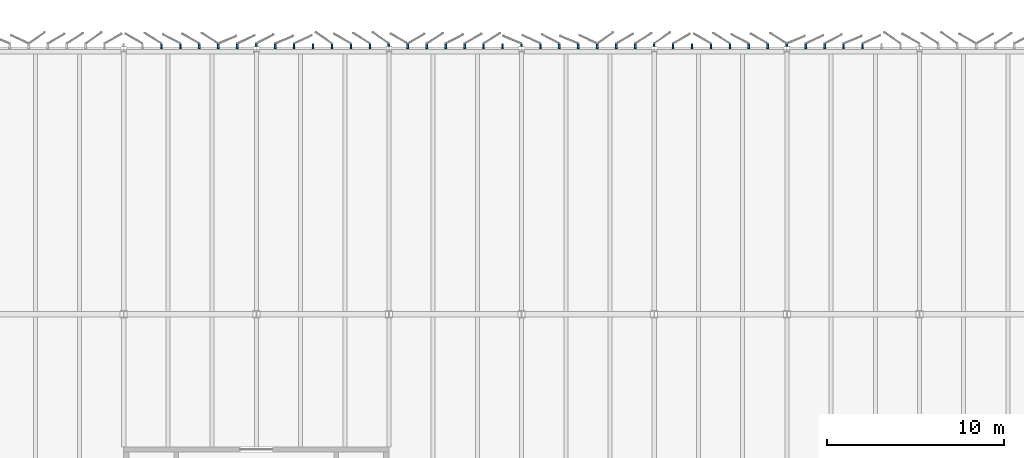
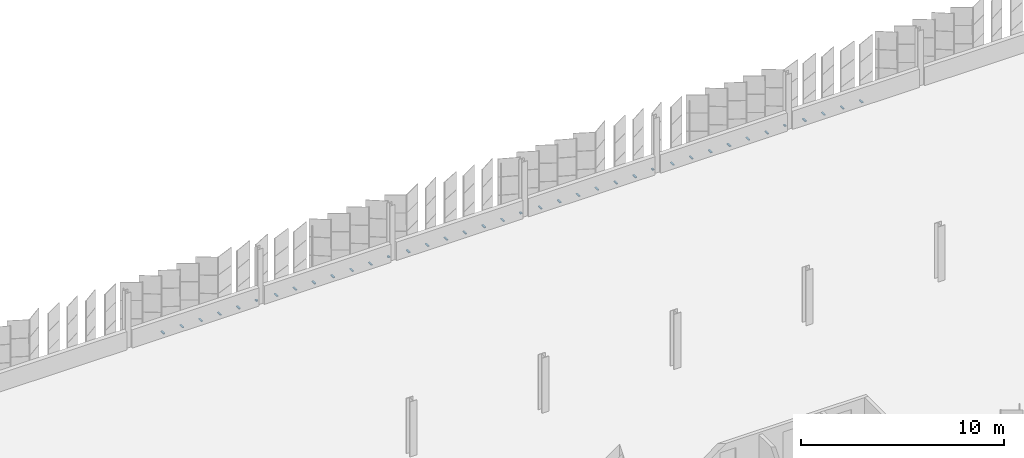
# One storey, part 190 of 214: 38 discrete accessories.
"""IFC4 building model written with IfcOpenShell, lengths in metres."""

import ifcopenshell
import ifcopenshell.guid

model = None  # the IFC model being written
_history = None  # IfcOwnerHistory: only IFC2X3 demands one
_inside = {}  # id of a spatial element -> (the spatial element, [elements in it])
_under = {}  # id of a project, library or spatial element -> (it, [spatial elements below it])
_declared = {}  # id of a project -> (the project, [libraries it declares])
_typed = {}  # id of a type object -> (the type object, [elements of that type])
_made_of = {}  # id of a material, layer set ... -> (it, [elements and type objects made of it])


def new_model(schema):
    """Start an empty IFC model of exactly this schema.

    Asked for "IFC4X3", IfcOpenShell would pick the latest addendum, in which some entities
    have other attributes; the version numbers below select the first issue.
    IFC2X3 requires an IfcOwnerHistory on every rooted entity: one is made here for all.
    """
    global model, _history
    if schema == "IFC4X3":
        model = ifcopenshell.file(schema_version=(4, 3, 0, 0))
    else:
        model = ifcopenshell.file(schema=schema)
    _inside.clear()
    _under.clear()
    _declared.clear()
    _typed.clear()
    _made_of.clear()
    _history = None
    if model.schema == "IFC2X3":
        org = make("IfcOrganization", Name="unknown")
        user = make(
            "IfcPersonAndOrganization",
            ThePerson=make("IfcPerson", FamilyName="unknown"),
            TheOrganization=org,
        )
        app = make(
            "IfcApplication",
            ApplicationDeveloper=org,
            Version="unknown",
            ApplicationFullName="unknown",
            ApplicationIdentifier="unknown",
        )
        _history = make(
            "IfcOwnerHistory",
            OwningUser=user,
            OwningApplication=app,
            ChangeAction="ADDED",
            CreationDate=0,
        )
    return model


def make(cls, **values):
    """One entity of the class cls with the attributes given. An attribute that is None is left unset."""
    return model.create_entity(
        cls, **{name: value for name, value in values.items() if value is not None}
    )


def rooted(cls, **values):
    """An entity with a GlobalId (a new one), such as an element, a storey or a relation."""
    return make(cls, GlobalId=ifcopenshell.guid.new(), OwnerHistory=_history, **values)


def si_unit(unit_type, name, prefix=None):
    """IfcSIUnit, for example si_unit("LENGTHUNIT", "METRE", prefix="MILLI")."""
    return make("IfcSIUnit", UnitType=unit_type, Prefix=prefix, Name=name)


def assignment(units):
    """IfcUnitAssignment: the units of a project."""
    return None if units is None else make("IfcUnitAssignment", Units=units)


def point(xyz):
    """IfcCartesianPoint."""
    return None if xyz is None else make("IfcCartesianPoint", Coordinates=xyz)


def direction(xyz):
    """IfcDirection."""
    return None if xyz is None else make("IfcDirection", DirectionRatios=xyz)


def frame(location, z_axis=None, x_axis=None):
    """IfcAxis2Placement3D, a coordinate frame: its origin and axes. An axis left out is left unset."""
    return make(
        "IfcAxis2Placement3D",
        Location=point(location),
        Axis=direction(z_axis),
        RefDirection=direction(x_axis),
    )


def frame_2d(location, x_axis=None):
    """IfcAxis2Placement2D, a coordinate frame in the plane: its origin and x axis."""
    return make(
        "IfcAxis2Placement2D", Location=point(location), RefDirection=direction(x_axis)
    )


def origin():
    """The frame at (0, 0, 0) with its axes left unset."""
    return frame((0.0, 0.0, 0.0))


def origin_2d():
    """The frame at (0, 0) in the plane with its x axis left unset."""
    return frame_2d((0.0, 0.0))


def place(relative_to, where):
    """IfcLocalPlacement: puts the frame where relative to a parent placement (None: the world)."""
    return make(
        "IfcLocalPlacement", PlacementRelTo=relative_to, RelativePlacement=where
    )


def context(
    kind, dimensions, precision=None, world=None, true_north=None, identifier=None
):
    """IfcGeometricRepresentationContext, for example the 3D "Model" context."""
    return make(
        "IfcGeometricRepresentationContext",
        ContextIdentifier=identifier,
        ContextType=kind,
        CoordinateSpaceDimension=dimensions,
        Precision=precision,
        WorldCoordinateSystem=world,
        TrueNorth=true_north,
    )


def subcontext(parent, identifier, kind, view, scale=None):
    """IfcGeometricRepresentationSubContext, for example "Body" below "Model"."""
    return make(
        "IfcGeometricRepresentationSubContext",
        ContextIdentifier=identifier,
        ContextType=kind,
        ParentContext=parent,
        TargetScale=scale,
        TargetView=view,
    )


def project(units=None, contexts=None):
    """IfcProject with its units and contexts."""
    return rooted(
        "IfcProject",
        Name="project",
        RepresentationContexts=contexts,
        UnitsInContext=assignment(units),
    )


def spatial(cls, under=None, at=None, **own):
    """A site, building, storey or space (cls), placed at a placement, below another one or the project."""
    s = rooted(cls, ObjectPlacement=at, **own)
    if under is not None:
        _under.setdefault(under.id(), (under, []))[1].append(s)
    return s


def profile(cls, at=None, kind="AREA", **sizes):
    """A parametric profile (cls). Its sizes go by their IFC names, for example OverallWidth=200.0."""
    return make(cls, ProfileType=kind, Position=at, **sizes)


def rectangle(**sizes):
    """IfcRectangleProfileDef."""
    return profile("IfcRectangleProfileDef", **sizes)


def extrude(swept, where, along, depth):
    """IfcExtrudedAreaSolid: the profile swept, set in the frame where, extruded along a direction by depth."""
    return make(
        "IfcExtrudedAreaSolid",
        SweptArea=swept,
        Position=where,
        ExtrudedDirection=direction(along),
        Depth=depth,
    )


def shape(context_of_items, identifier, shape_type, items):
    """IfcShapeRepresentation: the items that make up one representation, for example the "Body"."""
    return make(
        "IfcShapeRepresentation",
        ContextOfItems=context_of_items,
        RepresentationIdentifier=identifier,
        RepresentationType=shape_type,
        Items=items,
    )


def material(Name=None, Category=None):
    """IfcMaterial."""
    return make("IfcMaterial", Name=Name, Category=Category)


def made_of(thing, what):
    """Note that an element or type object is made of a material, layer set ...; save() writes the relation."""
    if what is not None:
        _made_of.setdefault(what.id(), (what, []))[1].append(thing)
    return thing


def type_object(cls, material=None, **own):
    """A type object (cls), such as IfcWallType, which elements share."""
    return made_of(rooted(cls, **own), material)


def element(
    cls,
    number,
    at=None,
    inside=None,
    cuts=None,
    type_object=None,
    material=None,
    context=None,
    identifier="Body",
    shape_type=None,
    held_by="IfcProductDefinitionShape",
    body=None,
    shapes=None,
    **own,
):
    """One element of the class cls, such as IfcWall. Its Tag is "e" and its number.

    at: its placement. inside: the storey or other place that contains it. cuts: it is an
    opening in that element (IfcRelVoidsElement). A single representation is given by context,
    identifier, shape_type and body (its items); several are given by shapes. held_by: the class
    of the entity that holds the representations. save() writes the other relations.
    """
    e = rooted(cls, Tag="e%d" % number, ObjectPlacement=at, **own)
    if body is not None:
        shapes = [shape(context, identifier, shape_type, body)]
    if shapes is not None:
        e.Representation = make(held_by, Representations=shapes)
    if inside is not None:
        _inside.setdefault(inside.id(), (inside, []))[1].append(e)
    if cuts is not None:
        rooted(
            "IfcRelVoidsElement", RelatingBuildingElement=cuts, RelatedOpeningElement=e
        )
    if type_object is not None:
        _typed.setdefault(type_object.id(), (type_object, []))[1].append(e)
    return made_of(e, material)


def aggregate(whole, parts):
    """IfcRelAggregates: a whole, such as a stair, and the parts it consists of."""
    return rooted("IfcRelAggregates", RelatingObject=whole, RelatedObjects=parts)


def save(model, path):
    """Write the relations noted so far, then the file.

    IfcRelAggregates (storeys below a building ...), IfcRelContainedInSpatialStructure (elements
    in a storey), IfcRelDefinesByType, IfcRelAssociatesMaterial and IfcRelDeclares: one each for
    every whole, place, type object, material and project.
    """
    for whole, parts in _under.values():
        aggregate(whole, parts)
    for where, things in _inside.values():
        rooted(
            "IfcRelContainedInSpatialStructure",
            RelatedElements=things,
            RelatingStructure=where,
        )
    for kind, things in _typed.values():
        rooted("IfcRelDefinesByType", RelatedObjects=things, RelatingType=kind)
    for what, things in _made_of.values():
        rooted("IfcRelAssociatesMaterial", RelatedObjects=things, RelatingMaterial=what)
    for by, libraries in _declared.values():
        rooted("IfcRelDeclares", RelatingContext=by, RelatedDefinitions=libraries)
    model.write(path)


model = new_model("IFC4")

# Units and contexts
model_context = context("Model", 3, precision=1e-05, world=origin(), true_north=direction((0.0, 1.0)))
body_context = subcontext(model_context, "Body", "Model", "MODEL_VIEW")
ifc_project = project(units=[si_unit("LENGTHUNIT", "METRE"), si_unit("AREAUNIT", "SQUARE_METRE"), si_unit("VOLUMEUNIT", "CUBIC_METRE"), si_unit("PLANEANGLEUNIT", "RADIAN"), si_unit("MASSUNIT", "GRAM", prefix="KILO")], contexts=[model_context])

# Site, building, storey
site_placement = place(None, origin())
site = spatial("IfcSite", under=ifc_project, at=site_placement, CompositionType="ELEMENT")
building_placement = place(site_placement, origin())
building = spatial("IfcBuilding", under=site, at=building_placement, Name="Parallax Yard Mobility Hub", CompositionType="ELEMENT")
storey_placement = place(building_placement, frame((0.0, 0.0, 3.300048828125)))
storey = spatial("IfcBuildingStorey", under=building, at=storey_placement, Name="L01", CompositionType="ELEMENT", Elevation=3.300048828125)

# Discrete accessories
ifc_material = material(Name="Steel ASTM A36, hot-dip galvanised", Category="steel")
discrete_accessory_type = type_object("IfcDiscreteAccessoryType", Name="Hinge bracket plate 100x50", PredefinedType="BRACKET", material=ifc_material)
for number, where, z_axis, x_axis, name in (
    (1, (109.280029296875, 142.6416015625, -0.02490234375), (0.0, 0.0, 1.0), (0.0, 1.0, 0.0), "Hinge bracket plate bay 59.4 level L01"),
    (2, (108.20849609375, 142.6416015625, -0.02490234375), (0.0, 0.0, 1.0), (0.0, 1.0, 0.0), "Hinge bracket plate bay 59.5 level L01"),
    (3, (107.136962890625, 142.6416015625, -0.02490234375), (0.0, 0.0, 1.0), (0.0, 1.0, 0.0), "Hinge bracket plate bay 59.6 level L01"),
    (4, (106.0654296875, 142.6416015625, -0.02490234375), (0.0, 0.0, 1.0), (0.0, 1.0, 0.0), "Hinge bracket plate bay 59.7 level L01"),
):
    element("IfcDiscreteAccessory", number, at=place(storey_placement, frame(where, z_axis=z_axis, x_axis=x_axis)), inside=storey, type_object=discrete_accessory_type, Name=name, PredefinedType="BRACKET", context=body_context, shape_type="SweptSolid", body=[
        extrude(rectangle(XDim=0.2841796875, YDim=0.10009765625, at=origin_2d()), origin(), (0.0, 0.0, 1.0), 0.050048828125),
    ])
discrete_accessory_1_placement = place(storey_placement, frame((104.993896484375, 142.719482421875, -0.02490234375), z_axis=(0.0, 0.0, 1.0), x_axis=(0.0, 1.0, 0.0)))
element("IfcDiscreteAccessory", 5, at=discrete_accessory_1_placement, inside=storey, type_object=discrete_accessory_type, Name="Hinge bracket plate bay 60.1 level L01", PredefinedType="BRACKET", context=body_context, shape_type="SweptSolid", body=[
    extrude(rectangle(XDim=0.128173828125, YDim=0.10009765625, at=origin_2d()), origin(), (0.0, 0.0, 1.0), 0.050048828125),
])
for number, where, z_axis, x_axis, name in (
    (6, (103.92236328125, 142.6416015625, -0.02490234375), (0.0, 0.0, 1.0), (0.0, 1.0, 0.0), "Hinge bracket plate bay 60.2 level L01"),
    (7, (102.850830078125, 142.6416015625, -0.02490234375), (0.0, 0.0, 1.0), (0.0, 1.0, 0.0), "Hinge bracket plate bay 60.3 level L01"),
    (8, (101.779296875, 142.6416015625, -0.02490234375), (0.0, 0.0, 1.0), (0.0, 1.0, 0.0), "Hinge bracket plate bay 60.4 level L01"),
    (9, (100.707763671875, 142.6416015625, -0.02490234375), (0.0, 0.0, 1.0), (0.0, 1.0, 0.0), "Hinge bracket plate bay 60.5 level L01"),
    (10, (99.635986328125, 142.6416015625, -0.02490234375), (0.0, 0.0, 1.0), (0.0, 1.0, 0.0), "Hinge bracket plate bay 60.6 level L01"),
    (11, (98.564453125, 142.6416015625, -0.02490234375), (0.0, 0.0, 1.0), (0.0, 1.0, 0.0), "Hinge bracket plate bay 60.7 level L01"),
):
    element("IfcDiscreteAccessory", number, at=place(storey_placement, frame(where, z_axis=z_axis, x_axis=x_axis)), inside=storey, type_object=discrete_accessory_type, Name=name, PredefinedType="BRACKET", context=body_context, shape_type="SweptSolid", body=[
        extrude(rectangle(XDim=0.2841796875, YDim=0.10009765625, at=origin_2d()), origin(), (0.0, 0.0, 1.0), 0.050048828125),
    ])
discrete_accessory_2_placement = place(storey_placement, frame((97.492919921875, 142.719482421875, -0.02490234375), z_axis=(0.0, 0.0, 1.0), x_axis=(0.0, 1.0, 0.0)))
element("IfcDiscreteAccessory", 12, at=discrete_accessory_2_placement, inside=storey, type_object=discrete_accessory_type, Name="Hinge bracket plate bay 61.1 level L01", PredefinedType="BRACKET", context=body_context, shape_type="SweptSolid", body=[
    extrude(rectangle(XDim=0.128173828125, YDim=0.10009765625, at=origin_2d()), origin(), (0.0, 0.0, 1.0), 0.050048828125),
])
for number, where, z_axis, x_axis, name in (
    (13, (96.42138671875, 142.6416015625, -0.02490234375), (0.0, 0.0, 1.0), (0.0, 1.0, 0.0), "Hinge bracket plate bay 61.2 level L01"),
    (14, (95.349853515625, 142.6416015625, -0.02490234375), (0.0, 0.0, 1.0), (0.0, 1.0, 0.0), "Hinge bracket plate bay 61.3 level L01"),
    (15, (94.2783203125, 142.6416015625, -0.02490234375), (0.0, 0.0, 1.0), (0.0, 1.0, 0.0), "Hinge bracket plate bay 61.4 level L01"),
    (16, (93.206787109375, 142.6416015625, -0.02490234375), (0.0, 0.0, 1.0), (0.0, 1.0, 0.0), "Hinge bracket plate bay 61.5 level L01"),
    (17, (92.13525390625, 142.6416015625, -0.02490234375), (0.0, 0.0, 1.0), (0.0, 1.0, 0.0), "Hinge bracket plate bay 61.6 level L01"),
    (18, (91.063720703125, 142.6416015625, -0.02490234375), (0.0, 0.0, 1.0), (0.0, 1.0, 0.0), "Hinge bracket plate bay 61.7 level L01"),
):
    element("IfcDiscreteAccessory", number, at=place(storey_placement, frame(where, z_axis=z_axis, x_axis=x_axis)), inside=storey, type_object=discrete_accessory_type, Name=name, PredefinedType="BRACKET", context=body_context, shape_type="SweptSolid", body=[
        extrude(rectangle(XDim=0.2841796875, YDim=0.10009765625, at=origin_2d()), origin(), (0.0, 0.0, 1.0), 0.050048828125),
    ])
discrete_accessory_3_placement = place(storey_placement, frame((89.9921875, 142.719482421875, -0.02490234375), z_axis=(0.0, 0.0, 1.0), x_axis=(0.0, 1.0, 0.0)))
element("IfcDiscreteAccessory", 19, at=discrete_accessory_3_placement, inside=storey, type_object=discrete_accessory_type, Name="Hinge bracket plate bay 62.1 level L01", PredefinedType="BRACKET", context=body_context, shape_type="SweptSolid", body=[
    extrude(rectangle(XDim=0.128173828125, YDim=0.10009765625, at=origin_2d()), origin(), (0.0, 0.0, 1.0), 0.050048828125),
])
for number, where, z_axis, x_axis, name in (
    (20, (88.92041015625, 142.6416015625, -0.02490234375), (0.0, 0.0, 1.0), (0.0, 1.0, 0.0), "Hinge bracket plate bay 62.2 level L01"),
    (21, (87.84912109375, 142.6416015625, -0.02490234375), (0.0, 0.0, 1.0), (0.0, 1.0, 0.0), "Hinge bracket plate bay 62.3 level L01"),
    (22, (86.77734375, 142.6416015625, -0.02490234375), (0.0, 0.0, 1.0), (0.0, 1.0, 0.0), "Hinge bracket plate bay 62.4 level L01"),
    (23, (85.705810546875, 142.6416015625, -0.02490234375), (0.0, 0.0, 1.0), (0.0, 1.0, 0.0), "Hinge bracket plate bay 62.5 level L01"),
    (24, (84.63427734375, 142.6416015625, -0.02490234375), (0.0, 0.0, 1.0), (0.0, 1.0, 0.0), "Hinge bracket plate bay 62.6 level L01"),
    (25, (83.562744140625, 142.6416015625, -0.02490234375), (0.0, 0.0, 1.0), (0.0, 1.0, 0.0), "Hinge bracket plate bay 62.7 level L01"),
):
    element("IfcDiscreteAccessory", number, at=place(storey_placement, frame(where, z_axis=z_axis, x_axis=x_axis)), inside=storey, type_object=discrete_accessory_type, Name=name, PredefinedType="BRACKET", context=body_context, shape_type="SweptSolid", body=[
        extrude(rectangle(XDim=0.2841796875, YDim=0.10009765625, at=origin_2d()), origin(), (0.0, 0.0, 1.0), 0.050048828125),
    ])
discrete_accessory_4_placement = place(storey_placement, frame((82.4912109375, 142.719482421875, -0.02490234375), z_axis=(0.0, 0.0, 1.0), x_axis=(0.0, 1.0, 0.0)))
element("IfcDiscreteAccessory", 26, at=discrete_accessory_4_placement, inside=storey, type_object=discrete_accessory_type, Name="Hinge bracket plate bay 63.1 level L01", PredefinedType="BRACKET", context=body_context, shape_type="SweptSolid", body=[
    extrude(rectangle(XDim=0.128173828125, YDim=0.10009765625, at=origin_2d()), origin(), (0.0, 0.0, 1.0), 0.050048828125),
])
for number, where, z_axis, x_axis, name in (
    (27, (81.419677734375, 142.6416015625, -0.02490234375), (0.0, 0.0, 1.0), (0.0, 1.0, 0.0), "Hinge bracket plate bay 63.2 level L01"),
    (28, (80.34814453125, 142.6416015625, -0.02490234375), (0.0, 0.0, 1.0), (0.0, 1.0, 0.0), "Hinge bracket plate bay 63.3 level L01"),
    (29, (79.276611328125, 142.6416015625, -0.02490234375), (0.0, 0.0, 1.0), (0.0, 1.0, 0.0), "Hinge bracket plate bay 63.4 level L01"),
    (30, (78.205078125, 142.6416015625, -0.02490234375), (0.0, 0.0, 1.0), (0.0, 1.0, 0.0), "Hinge bracket plate bay 63.5 level L01"),
    (31, (77.13330078125, 142.6416015625, -0.02490234375), (0.0, 0.0, 1.0), (0.0, 1.0, 0.0), "Hinge bracket plate bay 63.6 level L01"),
    (32, (76.06201171875, 142.6416015625, -0.02490234375), (0.0, 0.0, 1.0), (0.0, 1.0, 0.0), "Hinge bracket plate bay 63.7 level L01"),
):
    element("IfcDiscreteAccessory", number, at=place(storey_placement, frame(where, z_axis=z_axis, x_axis=x_axis)), inside=storey, type_object=discrete_accessory_type, Name=name, PredefinedType="BRACKET", context=body_context, shape_type="SweptSolid", body=[
        extrude(rectangle(XDim=0.2841796875, YDim=0.10009765625, at=origin_2d()), origin(), (0.0, 0.0, 1.0), 0.050048828125),
    ])
discrete_accessory_5_placement = place(storey_placement, frame((74.990234375, 142.719482421875, -0.02490234375), z_axis=(0.0, 0.0, 1.0), x_axis=(0.0, 1.0, 0.0)))
element("IfcDiscreteAccessory", 33, at=discrete_accessory_5_placement, inside=storey, type_object=discrete_accessory_type, Name="Hinge bracket plate bay 64.1 level L01", PredefinedType="BRACKET", context=body_context, shape_type="SweptSolid", body=[
    extrude(rectangle(XDim=0.128173828125, YDim=0.10009765625, at=origin_2d()), origin(), (0.0, 0.0, 1.0), 0.050048828125),
])
for number, where, z_axis, x_axis, name in (
    (34, (73.918701171875, 142.6416015625, -0.02490234375), (0.0, 0.0, 1.0), (0.0, 1.0, 0.0), "Hinge bracket plate bay 64.2 level L01"),
    (35, (72.84716796875, 142.6416015625, -0.02490234375), (0.0, 0.0, 1.0), (0.0, 1.0, 0.0), "Hinge bracket plate bay 64.3 level L01"),
    (36, (71.775634765625, 142.6416015625, -0.02490234375), (0.0, 0.0, 1.0), (0.0, 1.0, 0.0), "Hinge bracket plate bay 64.4 level L01"),
    (37, (70.7041015625, 142.6416015625, -0.02490234375), (0.0, 0.0, 1.0), (0.0, 1.0, 0.0), "Hinge bracket plate bay 64.5 level L01"),
    (38, (69.632568359375, 142.6416015625, -0.02490234375), (0.0, 0.0, 1.0), (0.0, 1.0, 0.0), "Hinge bracket plate bay 64.6 level L01"),
):
    element("IfcDiscreteAccessory", number, at=place(storey_placement, frame(where, z_axis=z_axis, x_axis=x_axis)), inside=storey, type_object=discrete_accessory_type, Name=name, PredefinedType="BRACKET", context=body_context, shape_type="SweptSolid", body=[
        extrude(rectangle(XDim=0.2841796875, YDim=0.10009765625, at=origin_2d()), origin(), (0.0, 0.0, 1.0), 0.050048828125),
    ])

save(model, "model.ifc")
